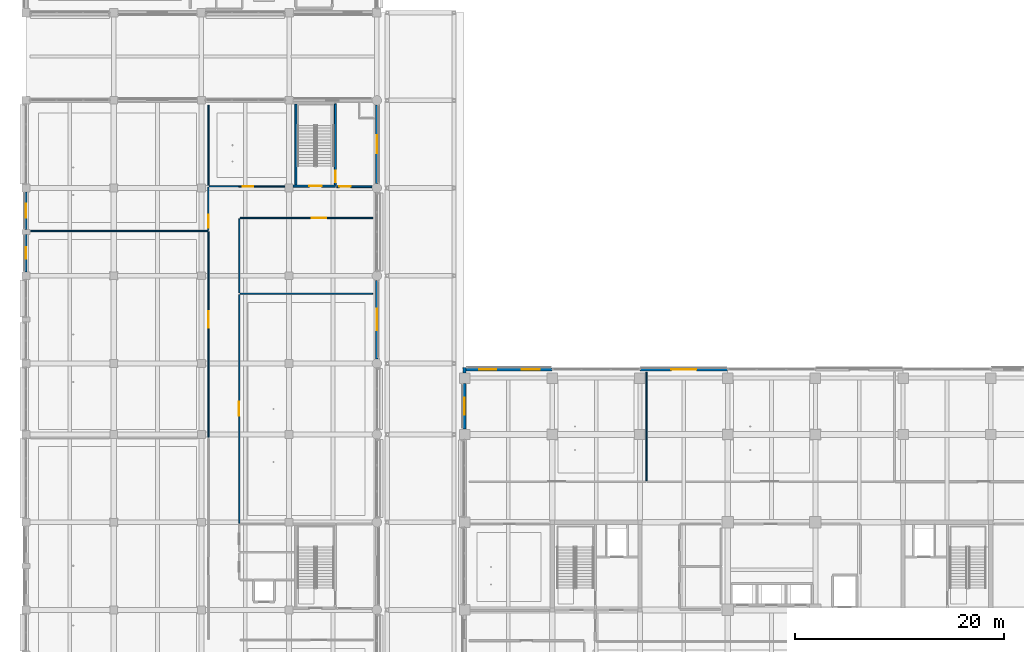
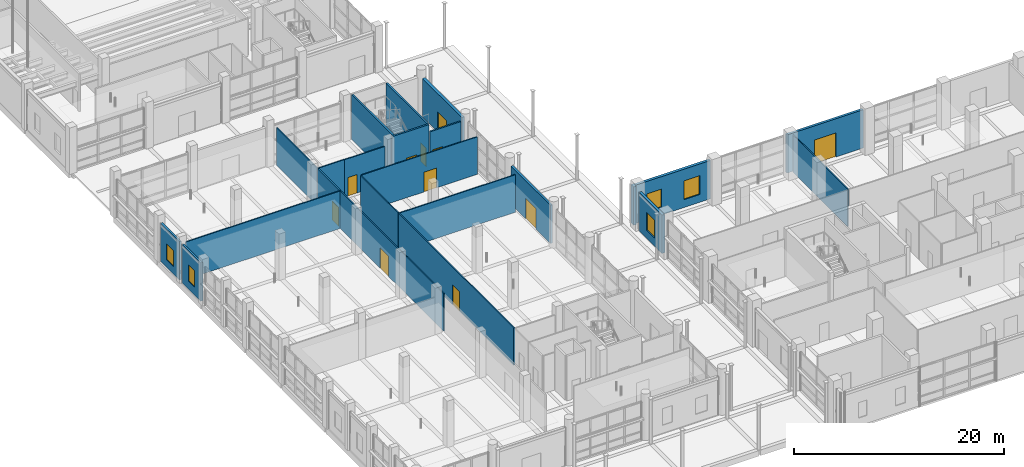
# One storey, part 59 of 140: 23 walls, 11 doors, 5 windows, 16 openings.
"""IFC4 building model written with IfcOpenShell, lengths in metres."""

from ifc_helpers import new_model, si_unit, direction, frame, frame_2d, origin, place, context, subcontext, project, spatial, rectangle, extrude, material, layer, layer_set, type_object, element, fill, save


model = new_model("IFC4")

# Units and contexts
model_context = context("Model", 3, precision=1e-05, world=origin(), true_north=direction((0.0, 1.0)))
body_context = subcontext(model_context, "Body", "Model", "MODEL_VIEW")
ifc_project = project(units=[si_unit("LENGTHUNIT", "METRE"), si_unit("AREAUNIT", "SQUARE_METRE"), si_unit("VOLUMEUNIT", "CUBIC_METRE"), si_unit("PLANEANGLEUNIT", "RADIAN"), si_unit("MASSUNIT", "GRAM", prefix="KILO")], contexts=[model_context])

# Site, building, storey
site_placement = place(None, origin())
site = spatial("IfcSite", under=ifc_project, at=site_placement, CompositionType="ELEMENT")
building_placement = place(site_placement, origin())
building = spatial("IfcBuilding", under=site, at=building_placement, Name="Telukmera Botanical Conservatory", CompositionType="ELEMENT")
storey_placement = place(building_placement, origin())
storey = spatial("IfcBuildingStorey", under=building, at=storey_placement, Name="L00", CompositionType="ELEMENT", Elevation=0.0)

# Wall, opening, door
ifc_material_1 = material(Name="Precast concrete C40/50", Category="concrete")
ifc_layer_1 = layer(ifc_material_1, 0.239990234375)
ifc_layer_set_1 = layer_set([ifc_layer_1], Name="Precast concrete C40/50")
wall_type_1 = type_object("IfcWallType", Name="Exterior Colonnade Recessed Precast Wall 240", PredefinedType="SOLIDWALL", material=ifc_layer_set_1)
wall_1_placement = place(storey_placement, frame((42.0, 50.052001953125, 0.0), z_axis=(0.0, 0.0, 1.0), x_axis=(0.0, 1.0, 0.0)))
wall_1 = element("IfcWall", 1, at=wall_1_placement, inside=storey, type_object=wall_type_1, Name="Exterior Precast Wall EW05 V3:L00:E5", PredefinedType="SOLIDWALL", context=body_context, shape_type="SweptSolid", body=[
    extrude(rectangle(XDim=7.49609375, YDim=0.239990234375, at=frame_2d((3.748046875, 0.0))), origin(), (0.0, 0.0, 1.0), 4.449951171875),
])
opening_1_placement = place(wall_1_placement, frame((2.722900390625, 0.0, 0.0)))
opening_1 = element("IfcOpeningElement", 2, at=opening_1_placement, cuts=wall_1, Name="Opening D004", PredefinedType="OPENING", context=body_context, shape_type="SweptSolid", body=[
    extrude(rectangle(XDim=2.050048828125, YDim=2.39990234375, at=frame_2d((1.02490234375, 1.199951171875))), frame((0.0, 0.1298828125, 0.0), z_axis=(0.0, -1.0, 0.0), x_axis=(1.0, 0.0, 0.0)), (0.0, 0.0, 1.0), 0.260009765625),
])
ifc_material_2 = material(Name="Thermally broken anodised aluminium glazed door assembly", Category="aluminium")
door_type_1 = type_object("IfcDoorType", Name="Visitor Centre Monsoon Court Entrance Door 2050x2400", OperationType="NOTDEFINED", PredefinedType="DOOR", material=ifc_material_2)
door_1_placement = place(opening_1_placement, frame((2.050048828125, 0.0, 0.0), z_axis=(0.0, 0.0, 1.0), x_axis=(-1.0, 0.0, 0.0)))
door_1 = element("IfcDoor", 3, at=door_1_placement, inside=storey, type_object=door_type_1, Name="Exterior Door D004", OperationType="DOUBLE_DOOR_SINGLE_SWING", OverallHeight=2.39990234375, OverallWidth=2.050048828125, PredefinedType="DOOR", context=body_context, shape_type="SweptSolid", body=[
    extrude(rectangle(XDim=2.050048828125, YDim=2.39990234375, at=frame_2d((1.02490234375, 1.199951171875))), frame((0.0, 0.02490234375, 0.0), z_axis=(0.0, -1.0, 0.0), x_axis=(1.0, 0.0, 0.0)), (0.0, 0.0, 1.0), 0.050048828125),
])
fill(opening_1, door_1)

ifc_material_3 = material(Name="Granite-faced precast concrete C40/50", Category="masonry")
ifc_layer_2 = layer(ifc_material_3, 0.260009765625)
ifc_layer_set_2 = layer_set([ifc_layer_2], Name="Granite-faced precast concrete C40/50")
wall_type_2 = type_object("IfcWallType", Name="Exterior Granite Precast Plinth Wall 260", PredefinedType="SOLIDWALL", material=ifc_layer_set_2)
wall_2_placement = place(storey_placement, frame((67.201904296875, 49.02001953125, 0.0), z_axis=(0.0, 0.0, 1.0), x_axis=(1.0, 0.0, 0.0)))
wall_2 = element("IfcWall", 4, at=wall_2_placement, inside=storey, type_object=wall_type_2, Name="Exterior Precast Wall EW01 V4:L00:N3", PredefinedType="SOLIDWALL", context=body_context, shape_type="SweptSolid", body=[
    extrude(rectangle(XDim=8.39599609375, YDim=0.260009765625, at=frame_2d((4.197998046875, 0.0))), origin(), (0.0, 0.0, 1.0), 4.449951171875),
])
opening_2_placement = place(wall_2_placement, frame((2.998046875, 0.0, 0.0)))
opening_2 = element("IfcOpeningElement", 5, at=opening_2_placement, cuts=wall_2, Name="Opening D009", PredefinedType="OPENING", context=body_context, shape_type="SweptSolid", body=[
    extrude(rectangle(XDim=2.39990234375, YDim=2.800048828125, at=frame_2d((1.199951171875, 1.39990234375))), frame((0.0, 0.139892578125, 0.0), z_axis=(0.0, -1.0, 0.0), x_axis=(1.0, 0.0, 0.0)), (0.0, 0.0, 1.0), 0.280029296875),
])
ifc_material_4 = material(Name="Galvanised powder-coated steel insulated roller shutter", Category="steel")
door_type_2 = type_object("IfcDoorType", Name="Specimen Receiving Insulated Roller Shutter Gate 2400x2800", OperationType="NOTDEFINED", PredefinedType="GATE", material=ifc_material_4)
door_2_placement = place(opening_2_placement, origin())
door_2 = element("IfcDoor", 6, at=door_2_placement, inside=storey, type_object=door_type_2, Name="Exterior Door D009", OperationType="ROLLINGUP", OverallHeight=2.800048828125, OverallWidth=2.39990234375, PredefinedType="GATE", context=body_context, shape_type="SweptSolid", body=[
    extrude(rectangle(XDim=2.39990234375, YDim=2.800048828125, at=frame_2d((1.199951171875, 1.39990234375))), frame((0.0, 0.02490234375, 0.0), z_axis=(0.0, -1.0, 0.0), x_axis=(1.0, 0.0, 0.0)), (0.0, 0.0, 1.0), 0.050048828125),
])
fill(opening_2, door_2)

ifc_material_5 = material(Name="Terracotta-faced precast concrete C40/50", Category="masonry")
ifc_layer_3 = layer(ifc_material_5, 0.300048828125)
ifc_layer_set_3 = layer_set([ifc_layer_3], Name="Terracotta-faced precast concrete C40/50")
wall_type_3 = type_object("IfcWallType", Name="Exterior Polychrome Terracotta Precast Wall 300", PredefinedType="SOLIDWALL", material=ifc_layer_set_3)
wall_3_placement = place(storey_placement, frame((42.0, 66.85205078125, 0.0), z_axis=(0.0, 0.0, 1.0), x_axis=(0.0, 1.0, 0.0)))
wall_3 = element("IfcWall", 7, at=wall_3_placement, inside=storey, type_object=wall_type_3, Name="Exterior Precast Wall EW02 V3:L00:E7", PredefinedType="SOLIDWALL", context=body_context, shape_type="SweptSolid", body=[
    extrude(rectangle(XDim=7.495849609375, YDim=0.300048828125, at=frame_2d((3.748046875, 0.0))), origin(), (0.0, 0.0, 1.0), 4.449951171875),
])
opening_3_placement = place(wall_3_placement, frame((2.873046875, 0.0, 0.0)))
opening_3 = element("IfcOpeningElement", 8, at=opening_3_placement, cuts=wall_3, Name="Opening D013", PredefinedType="OPENING", context=body_context, shape_type="SweptSolid", body=[
    extrude(rectangle(XDim=1.75, YDim=2.35009765625, at=frame_2d((0.875, 1.175048828125))), frame((0.0, 0.159912109375, 0.0), z_axis=(0.0, -1.0, 0.0), x_axis=(1.0, 0.0, 0.0)), (0.0, 0.0, 1.0), 0.320068359375),
])
door_type_3 = type_object("IfcDoorType", Name="Protected Stair Exit Vestibule Final Exit Door 1750x2350", OperationType="NOTDEFINED", PredefinedType="DOOR", material=ifc_material_2)
door_3_placement = place(opening_3_placement, frame((1.75, 0.0, 0.0), z_axis=(0.0, 0.0, 1.0), x_axis=(-1.0, 0.0, 0.0)))
door_3 = element("IfcDoor", 9, at=door_3_placement, inside=storey, type_object=door_type_3, Name="Exterior Door D013", OperationType="DOUBLE_DOOR_SINGLE_SWING", OverallHeight=2.35009765625, OverallWidth=1.75, PredefinedType="DOOR", context=body_context, shape_type="SweptSolid", body=[
    extrude(rectangle(XDim=1.75, YDim=2.35009765625, at=frame_2d((0.875, 1.175048828125))), frame((0.0, 0.02490234375, 0.0), z_axis=(0.0, -1.0, 0.0), x_axis=(1.0, 0.0, 0.0)), (0.0, 0.0, 1.0), 0.050048828125),
])
fill(opening_3, door_3)

# Wall
wall_4_placement = place(storey_placement, frame((50.39990234375, 48.701904296875, 0.0), z_axis=(0.0, 0.0, 1.0), x_axis=(0.0, 1.0, 0.0)))
element("IfcWall", 10, at=wall_4_placement, inside=storey, type_object=wall_type_3, Name="Exterior Precast Wall EW02 V4:L00:NWC", PredefinedType="SOLIDWALL", context=body_context, shape_type="SweptSolid", body=[
    extrude(rectangle(XDim=0.498046875, YDim=0.300048828125, at=frame_2d((0.2490234375, 0.0))), origin(), (0.0, 0.0, 1.0), 4.449951171875),
])

# Wall, openings, windows
wall_5_placement = place(storey_placement, frame((50.552001953125, 49.02001953125, 0.0), z_axis=(0.0, 0.0, 1.0), x_axis=(1.0, 0.0, 0.0)))
wall_5 = element("IfcWall", 11, at=wall_5_placement, inside=storey, type_object=wall_type_3, Name="Exterior Precast Wall EW02 V4:L00:N1", PredefinedType="SOLIDWALL", context=body_context, shape_type="SweptSolid", body=[
    extrude(rectangle(XDim=8.24609375, YDim=0.300048828125, at=frame_2d((4.123046875, 0.0))), origin(), (0.0, 0.0, 1.0), 4.449951171875),
])
opening_4_placement = place(wall_5_placement, frame((1.261474609375, 0.0, 0.89990234375)))
opening_4 = element("IfcOpeningElement", 12, at=opening_4_placement, cuts=wall_5, Name="Opening W07", PredefinedType="OPENING", context=body_context, shape_type="SweptSolid", body=[
    extrude(rectangle(XDim=1.60009765625, YDim=2.10009765625, at=frame_2d((0.800048828125, 1.050048828125))), frame((0.0, 0.159912109375, 0.0), z_axis=(0.0, -1.0, 0.0), x_axis=(1.0, 0.0, 0.0)), (0.0, 0.0, 1.0), 0.320068359375),
])
opening_5_placement = place(wall_5_placement, frame((5.3095703125, 0.0, 0.89990234375)))
opening_5 = element("IfcOpeningElement", 13, at=opening_5_placement, cuts=wall_5, Name="Opening W08", PredefinedType="OPENING", context=body_context, shape_type="SweptSolid", body=[
    extrude(rectangle(XDim=1.75, YDim=2.199951171875, at=frame_2d((0.875, 1.10009765625))), frame((0.0, 0.159912109375, 0.0), z_axis=(0.0, -1.0, 0.0), x_axis=(1.0, 0.0, 0.0)), (0.0, 0.0, 1.0), 0.320068359375),
])
ifc_material_6 = material(Name="Thermally broken anodised aluminium frame with low-E double glazing", Category="aluminium")
window_type_1 = type_object("IfcWindowType", Name="Double Vertical Curation Study Window 1600x2100", PartitioningType="DOUBLE_PANEL_VERTICAL", PredefinedType="WINDOW", material=ifc_material_6)
window_1_placement = place(opening_4_placement, origin())
window_1 = element("IfcWindow", 14, at=window_1_placement, inside=storey, type_object=window_type_1, Name="Facade Window W07 V4:L00:N1 1", OverallHeight=2.10009765625, OverallWidth=1.60009765625, PartitioningType="DOUBLE_PANEL_VERTICAL", PredefinedType="WINDOW", context=body_context, shape_type="SweptSolid", body=[
    extrude(rectangle(XDim=1.60009765625, YDim=2.10009765625, at=frame_2d((0.800048828125, 1.050048828125))), frame((0.0, 0.030029296875, 0.0), z_axis=(0.0, -1.0, 0.0), x_axis=(1.0, 0.0, 0.0)), (0.0, 0.0, 1.0), 0.06005859375),
])
fill(opening_4, window_1)
window_type_2 = type_object("IfcWindowType", Name="Double Vertical Library Reading Window 1750x2200", PartitioningType="DOUBLE_PANEL_VERTICAL", PredefinedType="WINDOW", material=ifc_material_6)
window_2_placement = place(opening_5_placement, origin())
window_2 = element("IfcWindow", 15, at=window_2_placement, inside=storey, type_object=window_type_2, Name="Facade Window W08 V4:L00:N1 2", OverallHeight=2.199951171875, OverallWidth=1.75, PartitioningType="DOUBLE_PANEL_VERTICAL", PredefinedType="WINDOW", context=body_context, shape_type="SweptSolid", body=[
    extrude(rectangle(XDim=1.75, YDim=2.199951171875, at=frame_2d((0.875, 1.10009765625))), frame((0.0, 0.030029296875, 0.0), z_axis=(0.0, -1.0, 0.0), x_axis=(1.0, 0.0, 0.0)), (0.0, 0.0, 1.0), 0.06005859375),
])
fill(opening_5, window_2)

# Wall, opening, window
wall_6_placement = place(storey_placement, frame((50.39990234375, 43.302001953125, 0.0), z_axis=(0.0, 0.0, 1.0), x_axis=(0.0, 1.0, 0.0)))
wall_6 = element("IfcWall", 16, at=wall_6_placement, inside=storey, type_object=wall_type_3, Name="Exterior Precast Wall EW02 V4:L00:W5", PredefinedType="SOLIDWALL", context=body_context, shape_type="SweptSolid", body=[
    extrude(rectangle(XDim=4.39599609375, YDim=0.300048828125, at=frame_2d((2.197998046875, 0.0))), origin(), (0.0, 0.0, 1.0), 4.449951171875),
])
opening_6_placement = place(wall_6_placement, frame((1.39794921875, 0.0, 0.89990234375)))
opening_6 = element("IfcOpeningElement", 17, at=opening_6_placement, cuts=wall_6, Name="Opening W07", PredefinedType="OPENING", context=body_context, shape_type="SweptSolid", body=[
    extrude(rectangle(XDim=1.60009765625, YDim=2.10009765625, at=frame_2d((0.800048828125, 1.050048828125))), frame((0.0, 0.159912109375, 0.0), z_axis=(0.0, -1.0, 0.0), x_axis=(1.0, 0.0, 0.0)), (0.0, 0.0, 1.0), 0.320068359375),
])
window_3_placement = place(opening_6_placement, origin())
window_3 = element("IfcWindow", 18, at=window_3_placement, inside=storey, type_object=window_type_1, Name="Facade Window W07 V4:L00:W5", OverallHeight=2.10009765625, OverallWidth=1.60009765625, PartitioningType="DOUBLE_PANEL_VERTICAL", PredefinedType="WINDOW", context=body_context, shape_type="SweptSolid", body=[
    extrude(rectangle(XDim=1.60009765625, YDim=2.10009765625, at=frame_2d((0.800048828125, 1.050048828125))), frame((0.0, 0.030029296875, 0.0), z_axis=(0.0, -1.0, 0.0), x_axis=(1.0, 0.0, 0.0)), (0.0, 0.0, 1.0), 0.06005859375),
])
fill(opening_6, window_3)

ifc_layer_4 = layer(ifc_material_5, 0.219970703125)
ifc_layer_set_4 = layer_set([ifc_layer_4], Name="Terracotta-faced precast concrete C40/50")
wall_type_4 = type_object("IfcWallType", Name="Exterior Terracotta Rainscreen Cladding Wall 220", PredefinedType="USERDEFINED", material=ifc_layer_set_4)
wall_7_placement = place(storey_placement, frame((8.39990234375, 58.376953125, 0.0), z_axis=(0.0, 0.0, 1.0), x_axis=(0.0, 1.0, 0.0)))
wall_7 = element("IfcWall", 19, at=wall_7_placement, inside=storey, type_object=wall_type_4, Name="Exterior Precast Wall EW07 V3:L00:W6A", ObjectType="CLADDING", PredefinedType="USERDEFINED", context=body_context, shape_type="SweptSolid", body=[
    extrude(rectangle(XDim=3.571044921875, YDim=0.219970703125, at=frame_2d((1.78564453125, 0.0))), origin(), (0.0, 0.0, 1.0), 4.449951171875),
])
opening_7_placement = place(wall_7_placement, frame((1.235595703125, 0.0, 0.89990234375)))
opening_7 = element("IfcOpeningElement", 20, at=opening_7_placement, cuts=wall_7, Name="Opening W02", PredefinedType="OPENING", context=body_context, shape_type="SweptSolid", body=[
    extrude(rectangle(XDim=1.10009765625, YDim=1.949951171875, at=frame_2d((0.550048828125, 0.97509765625))), frame((0.0, 0.119873046875, 0.0), z_axis=(0.0, -1.0, 0.0), x_axis=(1.0, 0.0, 0.0)), (0.0, 0.0, 1.0), 0.239990234375),
])
window_type_3 = type_object("IfcWindowType", Name="Single Fixed Exhibition Pier Window 1100x1950", PartitioningType="SINGLE_PANEL", PredefinedType="WINDOW", material=ifc_material_6)
window_4_placement = place(opening_7_placement, origin())
window_4 = element("IfcWindow", 21, at=window_4_placement, inside=storey, type_object=window_type_3, Name="Facade Window W02 V3:L00:W6A", OverallHeight=1.949951171875, OverallWidth=1.10009765625, PartitioningType="SINGLE_PANEL", PredefinedType="WINDOW", context=body_context, shape_type="SweptSolid", body=[
    extrude(rectangle(XDim=1.10009765625, YDim=1.949951171875, at=frame_2d((0.550048828125, 0.97509765625))), frame((0.0, 0.030029296875, 0.0), z_axis=(0.0, -1.0, 0.0), x_axis=(1.0, 0.0, 0.0)), (0.0, 0.0, 1.0), 0.06005859375),
])
fill(opening_7, window_4)

wall_8_placement = place(storey_placement, frame((8.39990234375, 62.451904296875, 0.0), z_axis=(0.0, 0.0, 1.0), x_axis=(0.0, 1.0, 0.0)))
wall_8 = element("IfcWall", 22, at=wall_8_placement, inside=storey, type_object=wall_type_4, Name="Exterior Precast Wall EW07 V3:L00:W6B", ObjectType="CLADDING", PredefinedType="USERDEFINED", context=body_context, shape_type="SweptSolid", body=[
    extrude(rectangle(XDim=3.571044921875, YDim=0.219970703125, at=frame_2d((1.78564453125, 0.0))), origin(), (0.0, 0.0, 1.0), 4.449951171875),
])
opening_8_placement = place(wall_8_placement, frame((1.110595703125, 0.0, 0.89990234375)))
opening_8 = element("IfcOpeningElement", 23, at=opening_8_placement, cuts=wall_8, Name="Opening W05", PredefinedType="OPENING", context=body_context, shape_type="SweptSolid", body=[
    extrude(rectangle(XDim=1.35009765625, YDim=1.85009765625, at=frame_2d((0.675048828125, 0.925048828125))), frame((0.0, 0.119873046875, 0.0), z_axis=(0.0, -1.0, 0.0), x_axis=(1.0, 0.0, 0.0)), (0.0, 0.0, 1.0), 0.239990234375),
])
window_type_4 = type_object("IfcWindowType", Name="Double Vertical Casement Classroom Window 1350x1850", PartitioningType="DOUBLE_PANEL_VERTICAL", PredefinedType="WINDOW", material=ifc_material_6)
window_5_placement = place(opening_8_placement, origin())
window_5 = element("IfcWindow", 24, at=window_5_placement, inside=storey, type_object=window_type_4, Name="Facade Window W05 V3:L00:W6B", OverallHeight=1.85009765625, OverallWidth=1.35009765625, PartitioningType="DOUBLE_PANEL_VERTICAL", PredefinedType="WINDOW", context=body_context, shape_type="SweptSolid", body=[
    extrude(rectangle(XDim=1.35009765625, YDim=1.85009765625, at=frame_2d((0.675048828125, 0.925048828125))), frame((0.0, 0.030029296875, 0.0), z_axis=(0.0, -1.0, 0.0), x_axis=(1.0, 0.0, 0.0)), (0.0, 0.0, 1.0), 0.06005859375),
])
fill(opening_8, window_5)

# Wall, opening, door
ifc_material_7 = material(Name="Aluminium framed acoustic glass", Category="aluminium")
ifc_layer_5 = layer(ifc_material_7, 0.1201171875)
ifc_layer_set_5 = layer_set([ifc_layer_5], Name="Aluminium framed acoustic glass")
wall_type_5 = type_object("IfcWallType", Name="WT-GLAZ-120", PredefinedType="PARTITIONING", material=ifc_layer_set_5)
wall_9_placement = place(storey_placement, frame((25.875, 42.550048828125, 0.0), z_axis=(0.0, 0.0, 1.0), x_axis=(0.0, 1.0, 0.0)))
wall_9 = element("IfcWall", 25, at=wall_9_placement, inside=storey, type_object=wall_type_5, Name="L00 Interior Partition 09", PredefinedType="PARTITIONING", context=body_context, shape_type="SweptSolid", body=[
    extrude(rectangle(XDim=19.64990234375, YDim=0.1201171875, at=frame_2d((9.824951171875, 0.0))), origin(), (0.0, 0.0, 1.0), 4.35009765625),
])
opening_9_placement = place(wall_9_placement, frame((10.449951171875, 0.0, 0.0)))
opening_9 = element("IfcOpeningElement", 26, at=opening_9_placement, cuts=wall_9, Name="Opening ID03", PredefinedType="OPENING", context=body_context, shape_type="SweptSolid", body=[
    extrude(rectangle(XDim=1.60009765625, YDim=2.35009765625, at=frame_2d((0.800048828125, 1.175048828125))), frame((0.0, 0.070068359375, 0.0), z_axis=(0.0, -1.0, 0.0), x_axis=(1.0, 0.0, 0.0)), (0.0, 0.0, 1.0), 0.14013671875),
])
ifc_material_8 = material(Name="Anodised aluminium glazed double door", Category="aluminium")
door_type_4 = type_object("IfcDoorType", Name="DT-GAL-160", OperationType="NOTDEFINED", PredefinedType="DOOR", material=ifc_material_8)
door_4_placement = place(opening_9_placement, origin())
door_4 = element("IfcDoor", 27, at=door_4_placement, inside=storey, type_object=door_type_4, Name="L00 Visitor Centre Exhibition Gallery Door", OperationType="SINGLE_SWING_LEFT", OverallHeight=2.35009765625, OverallWidth=1.60009765625, PredefinedType="DOOR", context=body_context, shape_type="SweptSolid", body=[
    extrude(rectangle(XDim=1.60009765625, YDim=2.35009765625, at=frame_2d((0.800048828125, 1.175048828125))), frame((0.0, 0.02490234375, 0.0), z_axis=(0.0, -1.0, 0.0), x_axis=(1.0, 0.0, 0.0)), (0.0, 0.0, 1.0), 0.050048828125),
])
fill(opening_9, door_4)

wall_10_placement = place(storey_placement, frame((28.824951171875, 34.300048828125, 0.0), z_axis=(0.0, 0.0, 1.0), x_axis=(0.0, 1.0, 0.0)))
wall_10 = element("IfcWall", 28, at=wall_10_placement, inside=storey, type_object=wall_type_5, Name="L00 Interior Partition 11", PredefinedType="PARTITIONING", context=body_context, shape_type="SweptSolid", body=[
    extrude(rectangle(XDim=21.89990234375, YDim=0.1201171875, at=frame_2d((10.949951171875, 0.0))), origin(), (0.0, 0.0, 1.0), 4.35009765625),
])
opening_10_placement = place(wall_10_placement, frame((10.27001953125, 0.0, 0.0)))
opening_10 = element("IfcOpeningElement", 29, at=opening_10_placement, cuts=wall_10, Name="Opening ID06", PredefinedType="OPENING", context=body_context, shape_type="SweptSolid", body=[
    extrude(rectangle(XDim=1.360107421875, YDim=2.300048828125, at=frame_2d((0.68017578125, 1.14990234375))), frame((0.0, 0.070068359375, 0.0), z_axis=(0.0, -1.0, 0.0), x_axis=(1.0, 0.0, 0.0)), (0.0, 0.0, 1.0), 0.14013671875),
])
ifc_material_9 = material(Name="Anodised aluminium glazed door", Category="aluminium")
door_type_5 = type_object("IfcDoorType", Name="DT-CAFE-136", OperationType="NOTDEFINED", PredefinedType="DOOR", material=ifc_material_9)
door_5_placement = place(opening_10_placement, frame((1.360107421875, 0.0, 0.0), z_axis=(0.0, 0.0, 1.0), x_axis=(-1.0, 0.0, 0.0)))
door_5 = element("IfcDoor", 30, at=door_5_placement, inside=storey, type_object=door_type_5, Name="L00 Monsoon Court Cafe Door", OperationType="SINGLE_SWING_RIGHT", OverallHeight=2.300048828125, OverallWidth=1.360107421875, PredefinedType="DOOR", context=body_context, shape_type="SweptSolid", body=[
    extrude(rectangle(XDim=1.360107421875, YDim=2.300048828125, at=frame_2d((0.68017578125, 1.14990234375))), frame((0.0, 0.02490234375, 0.0), z_axis=(0.0, -1.0, 0.0), x_axis=(1.0, 0.0, 0.0)), (0.0, 0.0, 1.0), 0.050048828125),
])
fill(opening_10, door_5)

# Walls
wall_11_placement = place(storey_placement, frame((28.824951171875, 56.35009765625, 0.0), z_axis=(0.0, 0.0, 1.0), x_axis=(0.0, 1.0, 0.0)))
element("IfcWall", 31, at=wall_11_placement, inside=storey, type_object=wall_type_5, Name="L00 Interior Partition 12", PredefinedType="PARTITIONING", context=body_context, shape_type="SweptSolid", body=[
    extrude(rectangle(XDim=7.099853515625, YDim=0.1201171875, at=frame_2d((3.5498046875, 0.0))), origin(), (0.0, 0.0, 1.0), 4.35009765625),
])
wall_12_placement = place(storey_placement, frame((25.949951171875, 66.574951171875, 0.0), z_axis=(0.0, 0.0, 1.0), x_axis=(1.0, 0.0, 0.0)))
element("IfcWall", 32, at=wall_12_placement, inside=storey, type_object=wall_type_5, Name="L00 Interior Partition 13", PredefinedType="PARTITIONING", context=body_context, shape_type="SweptSolid", body=[
    extrude(rectangle(XDim=2.800048828125, YDim=0.1201171875, at=frame_2d((1.39990234375, 0.0))), origin(), (0.0, 0.0, 1.0), 4.35009765625),
])

# Wall, opening, door
wall_13_placement = place(storey_placement, frame((28.89990234375, 63.52490234375, 0.0), z_axis=(0.0, 0.0, 1.0), x_axis=(1.0, 0.0, 0.0)))
wall_13 = element("IfcWall", 33, at=wall_13_placement, inside=storey, type_object=wall_type_5, Name="L00 Interior Partition 14", PredefinedType="PARTITIONING", context=body_context, shape_type="SweptSolid", body=[
    extrude(rectangle(XDim=12.7001953125, YDim=0.1201171875, at=frame_2d((6.35009765625, 0.0))), origin(), (0.0, 0.0, 1.0), 4.35009765625),
])
opening_11_placement = place(wall_13_placement, frame((6.87451171875, 0.0, 0.0)))
opening_11 = element("IfcOpeningElement", 34, at=opening_11_placement, cuts=wall_13, Name="Opening ID06", PredefinedType="OPENING", context=body_context, shape_type="SweptSolid", body=[
    extrude(rectangle(XDim=1.360107421875, YDim=2.300048828125, at=frame_2d((0.68017578125, 1.14990234375))), frame((0.0, 0.070068359375, 0.0), z_axis=(0.0, -1.0, 0.0), x_axis=(1.0, 0.0, 0.0)), (0.0, 0.0, 1.0), 0.14013671875),
])
door_6_placement = place(opening_11_placement, frame((1.360107421875, 0.0, 0.0), z_axis=(0.0, 0.0, 1.0), x_axis=(-1.0, 0.0, 0.0)))
door_6 = element("IfcDoor", 35, at=door_6_placement, inside=storey, type_object=door_type_5, Name="L00 Cafe Servery Preparation Room Door", OperationType="SINGLE_SWING_LEFT", OverallHeight=2.300048828125, OverallWidth=1.360107421875, PredefinedType="DOOR", context=body_context, shape_type="SweptSolid", body=[
    extrude(rectangle(XDim=1.360107421875, YDim=2.300048828125, at=frame_2d((0.68017578125, 1.14990234375))), frame((0.0, 0.02490234375, 0.0), z_axis=(0.0, -1.0, 0.0), x_axis=(1.0, 0.0, 0.0)), (0.0, 0.0, 1.0), 0.050048828125),
])
fill(opening_11, door_6)

wall_14_placement = place(storey_placement, frame((28.760009765625, 66.550048828125, 0.0), z_axis=(0.0, 0.0, 1.0), x_axis=(1.0, 0.0, 0.0)))
wall_14 = element("IfcWall", 36, at=wall_14_placement, inside=storey, type_object=wall_type_5, Name="L00 Interior Partition 15", PredefinedType="PARTITIONING", context=body_context, shape_type="SweptSolid", body=[
    extrude(rectangle(XDim=4.43505859375, YDim=0.1201171875, at=frame_2d((2.217529296875, 0.0))), origin(), (0.0, 0.0, 1.0), 4.35009765625),
])
opening_12_placement = place(wall_14_placement, frame((0.396728515625, 0.0, 0.0)))
opening_12 = element("IfcOpeningElement", 37, at=opening_12_placement, cuts=wall_14, Name="Opening ID14", PredefinedType="OPENING", context=body_context, shape_type="SweptSolid", body=[
    extrude(rectangle(XDim=1.0, YDim=2.14990234375, at=frame_2d((0.5, 1.074951171875))), frame((0.0, 0.070068359375, 0.0), z_axis=(0.0, -1.0, 0.0), x_axis=(1.0, 0.0, 0.0)), (0.0, 0.0, 1.0), 0.14013671875),
])
ifc_material_10 = material(Name="Acoustic timber office door", Category="wood")
door_type_6 = type_object("IfcDoorType", Name="DT-WRT-100", OperationType="NOTDEFINED", PredefinedType="DOOR", material=ifc_material_10)
door_7_placement = place(opening_12_placement, origin())
door_7 = element("IfcDoor", 38, at=door_7_placement, inside=storey, type_object=door_type_6, Name="L00 Visitor Cloakroom Studio Door", OperationType="SINGLE_SWING_RIGHT", OverallHeight=2.14990234375, OverallWidth=1.0, PredefinedType="DOOR", context=body_context, shape_type="SweptSolid", body=[
    extrude(rectangle(XDim=1.0, YDim=2.14990234375, at=frame_2d((0.5, 1.074951171875))), frame((0.0, 0.02490234375, 0.0), z_axis=(0.0, -1.0, 0.0), x_axis=(1.0, 0.0, 0.0)), (0.0, 0.0, 1.0), 0.050048828125),
])
fill(opening_12, door_7)

# Walls
wall_15_placement = place(storey_placement, frame((8.85009765625, 62.27490234375, 0.0), z_axis=(0.0, 0.0, 1.0), x_axis=(1.0, 0.0, 0.0)))
element("IfcWall", 39, at=wall_15_placement, inside=storey, type_object=wall_type_5, Name="L00 Interior Partition 19", PredefinedType="PARTITIONING", context=body_context, shape_type="SweptSolid", body=[
    extrude(rectangle(XDim=16.949951171875, YDim=0.1201171875, at=frame_2d((8.47509765625, 0.0))), origin(), (0.0, 0.0, 1.0), 4.35009765625),
])
wall_16_placement = place(storey_placement, frame((25.875, 66.64990234375, 0.0), z_axis=(0.0, 0.0, 1.0), x_axis=(0.0, 1.0, 0.0)))
element("IfcWall", 40, at=wall_16_placement, inside=storey, type_object=wall_type_5, Name="L00 Interior Partition 20", PredefinedType="PARTITIONING", context=body_context, shape_type="SweptSolid", body=[
    extrude(rectangle(XDim=7.7001953125, YDim=0.1201171875, at=frame_2d((3.85009765625, 0.0))), origin(), (0.0, 0.0, 1.0), 4.35009765625),
])
wall_17_placement = place(storey_placement, frame((28.89990234375, 56.27490234375, 0.0), z_axis=(0.0, 0.0, 1.0), x_axis=(1.0, 0.0, 0.0)))
element("IfcWall", 41, at=wall_17_placement, inside=storey, type_object=wall_type_5, Name="L00 Interior Partition 21", PredefinedType="PARTITIONING", context=body_context, shape_type="SweptSolid", body=[
    extrude(rectangle(XDim=12.7001953125, YDim=0.1201171875, at=frame_2d((6.35009765625, 0.0))), origin(), (0.0, 0.0, 1.0), 4.35009765625),
])
wall_18_placement = place(storey_placement, frame((67.824951171875, 38.35009765625, 0.0), z_axis=(0.0, 0.0, 1.0), x_axis=(0.0, 1.0, 0.0)))
element("IfcWall", 42, at=wall_18_placement, inside=storey, type_object=wall_type_5, Name="L00 Interior Partition 91", PredefinedType="PARTITIONING", context=body_context, shape_type="SweptSolid", body=[
    extrude(rectangle(XDim=10.39990234375, YDim=0.1201171875, at=frame_2d((5.199951171875, 0.0))), origin(), (0.0, 0.0, 1.0), 4.35009765625),
])

# Wall, opening, door
ifc_material_11 = material(Name="Blockwork masonry", Category="masonry")
ifc_layer_6 = layer(ifc_material_11, 0.169921875)
ifc_layer_set_6 = layer_set([ifc_layer_6], Name="Blockwork masonry")
wall_type_6 = type_object("IfcWallType", Name="WT-PLANT-170", PredefinedType="PARTITIONING", material=ifc_layer_set_6)
wall_19_placement = place(storey_placement, frame((38.14990234375, 66.52490234375, 0.0), z_axis=(0.0, 0.0, 1.0), x_axis=(1.0, 0.0, 0.0)))
wall_19 = element("IfcWall", 43, at=wall_19_placement, inside=storey, type_object=wall_type_6, Name="L00 Interior Partition 16", PredefinedType="PARTITIONING", context=body_context, shape_type="SweptSolid", body=[
    extrude(rectangle(XDim=3.3701171875, YDim=0.169921875, at=frame_2d((1.68505859375, 0.0))), origin(), (0.0, 0.0, 1.0), 4.35009765625),
])
opening_13_placement = place(wall_19_placement, frame((0.25, 0.0, 0.0)))
opening_13 = element("IfcOpeningElement", 44, at=opening_13_placement, cuts=wall_19, Name="Opening FD60E", PredefinedType="OPENING", context=body_context, shape_type="SweptSolid", body=[
    extrude(rectangle(XDim=1.080078125, YDim=2.14990234375, at=frame_2d((0.5400390625, 1.074951171875))), frame((0.0, 0.094970703125, 0.0), z_axis=(0.0, -1.0, 0.0), x_axis=(1.0, 0.0, 0.0)), (0.0, 0.0, 1.0), 0.18994140625),
])
ifc_material_12 = material(Name="Hardwood fire door", Category="wood")
door_type_7 = type_object("IfcDoorType", Name="DT-FD60-05", OperationType="NOTDEFINED", PredefinedType="DOOR", material=ifc_material_12)
door_8_placement = place(opening_13_placement, origin())
door_8 = element("IfcDoor", 45, at=door_8_placement, inside=storey, type_object=door_type_7, Name="L00 ST4 Exit Vestibule Corridor Fire Door", OperationType="SINGLE_SWING_LEFT", OverallHeight=2.14990234375, OverallWidth=1.080078125, PredefinedType="DOOR", context=body_context, shape_type="SweptSolid", body=[
    extrude(rectangle(XDim=1.080078125, YDim=2.14990234375, at=frame_2d((0.5400390625, 1.074951171875))), frame((0.0, 0.02490234375, 0.0), z_axis=(0.0, -1.0, 0.0), x_axis=(1.0, 0.0, 0.0)), (0.0, 0.0, 1.0), 0.050048828125),
])
fill(opening_13, door_8)

ifc_material_13 = material(Name="Concrete C40/50", Category="concrete")
ifc_layer_7 = layer(ifc_material_13, 0.18994140625)
ifc_layer_set_7 = layer_set([ifc_layer_7], Name="Concrete C40/50")
wall_type_7 = type_object("IfcWallType", Name="WT-STAIR-190", PredefinedType="SOLIDWALL", material=ifc_layer_set_7)
wall_20_placement = place(storey_placement, frame((33.97509765625, 66.580078125, 0.0), z_axis=(0.0, 0.0, 1.0), x_axis=(1.0, 0.0, 0.0)))
wall_20 = element("IfcWall", 46, at=wall_20_placement, inside=storey, type_object=wall_type_7, Name="L00 Stair ST4 South Wall", PredefinedType="SOLIDWALL", context=body_context, shape_type="SweptSolid", body=[
    extrude(rectangle(XDim=4.054931640625, YDim=0.18994140625, at=frame_2d((2.02734375, 0.0))), origin(), (0.0, 0.0, 1.0), 5.199951171875),
])
opening_14_placement = place(wall_20_placement, frame((1.574951171875, 0.0, 0.0)))
opening_14 = element("IfcOpeningElement", 47, at=opening_14_placement, cuts=wall_20, Name="Opening FD60D", PredefinedType="OPENING", context=body_context, shape_type="SweptSolid", body=[
    extrude(rectangle(XDim=1.179931640625, YDim=2.14990234375, at=frame_2d((0.58984375, 1.074951171875))), frame((0.0, 0.10498046875, 0.0), z_axis=(0.0, -1.0, 0.0), x_axis=(1.0, 0.0, 0.0)), (0.0, 0.0, 1.0), 0.2099609375),
])
door_type_8 = type_object("IfcDoorType", Name="DT-FD60-04", OperationType="NOTDEFINED", PredefinedType="DOOR", material=ifc_material_12)
door_9_placement = place(opening_14_placement, frame((1.179931640625, 0.0, 0.0), z_axis=(0.0, 0.0, 1.0), x_axis=(-1.0, 0.0, 0.0)))
door_9 = element("IfcDoor", 48, at=door_9_placement, inside=storey, type_object=door_type_8, Name="L00 Stair ST4 Escape Door", OperationType="SINGLE_SWING_LEFT", OverallHeight=2.14990234375, OverallWidth=1.179931640625, PredefinedType="DOOR", context=body_context, shape_type="SweptSolid", body=[
    extrude(rectangle(XDim=1.179931640625, YDim=2.14990234375, at=frame_2d((0.58984375, 1.074951171875))), frame((0.0, 0.02490234375, 0.0), z_axis=(0.0, -1.0, 0.0), x_axis=(1.0, 0.0, 0.0)), (0.0, 0.0, 1.0), 0.050048828125),
])
fill(opening_14, door_9)

# Wall
wall_21_placement = place(storey_placement, frame((34.25, 66.679931640625, 0.0), z_axis=(0.0, 0.0, 1.0), x_axis=(0.0, 1.0, 0.0)))
element("IfcWall", 49, at=wall_21_placement, inside=storey, type_object=wall_type_7, Name="L00 Stair ST4 W Wall", PredefinedType="SOLIDWALL", context=body_context, shape_type="SweptSolid", body=[
    extrude(rectangle(XDim=7.780029296875, YDim=0.18994140625, at=frame_2d((3.89013671875, 0.0))), origin(), (0.0, 0.0, 1.0), 5.199951171875),
])

# Wall, opening, door
wall_22_placement = place(storey_placement, frame((38.030029296875, 66.679931640625, 0.0), z_axis=(0.0, 0.0, 1.0), x_axis=(0.0, 1.0, 0.0)))
wall_22 = element("IfcWall", 50, at=wall_22_placement, inside=storey, type_object=wall_type_7, Name="L00 Stair ST4 E Wall", PredefinedType="SOLIDWALL", context=body_context, shape_type="SweptSolid", body=[
    extrude(rectangle(XDim=7.780029296875, YDim=0.18994140625, at=frame_2d((3.89013671875, 0.0))), origin(), (0.0, 0.0, 1.0), 5.199951171875),
])
opening_15_placement = place(wall_22_placement, frame((0.27001953125, 0.0, 0.0)))
opening_15 = element("IfcOpeningElement", 51, at=opening_15_placement, cuts=wall_22, Name="Opening FD60B", PredefinedType="OPENING", context=body_context, shape_type="SweptSolid", body=[
    extrude(rectangle(XDim=1.1201171875, YDim=2.14990234375, at=frame_2d((0.56005859375, 1.074951171875))), frame((0.0, 0.10498046875, 0.0), z_axis=(0.0, -1.0, 0.0), x_axis=(1.0, 0.0, 0.0)), (0.0, 0.0, 1.0), 0.2099609375),
])
door_type_9 = type_object("IfcDoorType", Name="DT-FD60-02", OperationType="NOTDEFINED", PredefinedType="DOOR", material=ifc_material_12)
door_10_placement = place(opening_15_placement, frame((1.1201171875, 0.0, 0.0), z_axis=(0.0, 0.0, 1.0), x_axis=(-1.0, 0.0, 0.0)))
door_10 = element("IfcDoor", 52, at=door_10_placement, inside=storey, type_object=door_type_9, Name="L00 Stair ST4 Exit Discharge Door", OperationType="SINGLE_SWING_RIGHT", OverallHeight=2.14990234375, OverallWidth=1.1201171875, PredefinedType="DOOR", context=body_context, shape_type="SweptSolid", body=[
    extrude(rectangle(XDim=1.1201171875, YDim=2.14990234375, at=frame_2d((0.56005859375, 1.074951171875))), frame((0.0, 0.02490234375, 0.0), z_axis=(0.0, -1.0, 0.0), x_axis=(1.0, 0.0, 0.0)), (0.0, 0.0, 1.0), 0.050048828125),
])
fill(opening_15, door_10)

ifc_material_14 = material(Name="Gypsum acoustic stud partition")
ifc_layer_8 = layer(ifc_material_14, 0.14990234375)
ifc_layer_set_8 = layer_set([ifc_layer_8], Name="Gypsum acoustic stud partition")
wall_type_8 = type_object("IfcWallType", Name="WT-STD-150", PredefinedType="PARTITIONING", material=ifc_layer_set_8)
wall_23_placement = place(storey_placement, frame((25.875, 62.35009765625, 0.0), z_axis=(0.0, 0.0, 1.0), x_axis=(0.0, 1.0, 0.0)))
wall_23 = element("IfcWall", 53, at=wall_23_placement, inside=storey, type_object=wall_type_8, Name="L00 Interior Partition 10", PredefinedType="PARTITIONING", context=body_context, shape_type="SweptSolid", body=[
    extrude(rectangle(XDim=4.14990234375, YDim=0.14990234375, at=frame_2d((2.074951171875, 0.0))), origin(), (0.0, 0.0, 1.0), 4.35009765625),
])
opening_16_placement = place(wall_23_placement, frame((0.25, 0.0, 0.0)))
opening_16 = element("IfcOpeningElement", 54, at=opening_16_placement, cuts=wall_23, Name="Opening ID08", PredefinedType="OPENING", context=body_context, shape_type="SweptSolid", body=[
    extrude(rectangle(XDim=1.239990234375, YDim=2.199951171875, at=frame_2d((0.6201171875, 1.10009765625))), frame((0.0, 0.0849609375, 0.0), z_axis=(0.0, -1.0, 0.0), x_axis=(1.0, 0.0, 0.0)), (0.0, 0.0, 1.0), 0.169921875),
])
ifc_material_15 = material(Name="Solid core hardwood classroom door", Category="wood")
door_type_10 = type_object("IfcDoorType", Name="DT-CLS-124", OperationType="NOTDEFINED", PredefinedType="DOOR", material=ifc_material_15)
door_11_placement = place(opening_16_placement, origin())
door_11 = element("IfcDoor", 55, at=door_11_placement, inside=storey, type_object=door_type_10, Name="L00 Education Orientation Studio Door", OperationType="SINGLE_SWING_RIGHT", OverallHeight=2.199951171875, OverallWidth=1.239990234375, PredefinedType="DOOR", context=body_context, shape_type="SweptSolid", body=[
    extrude(rectangle(XDim=1.239990234375, YDim=2.199951171875, at=frame_2d((0.6201171875, 1.10009765625))), frame((0.0, 0.02490234375, 0.0), z_axis=(0.0, -1.0, 0.0), x_axis=(1.0, 0.0, 0.0)), (0.0, 0.0, 1.0), 0.050048828125),
])
fill(opening_16, door_11)

save(model, "model.ifc")
